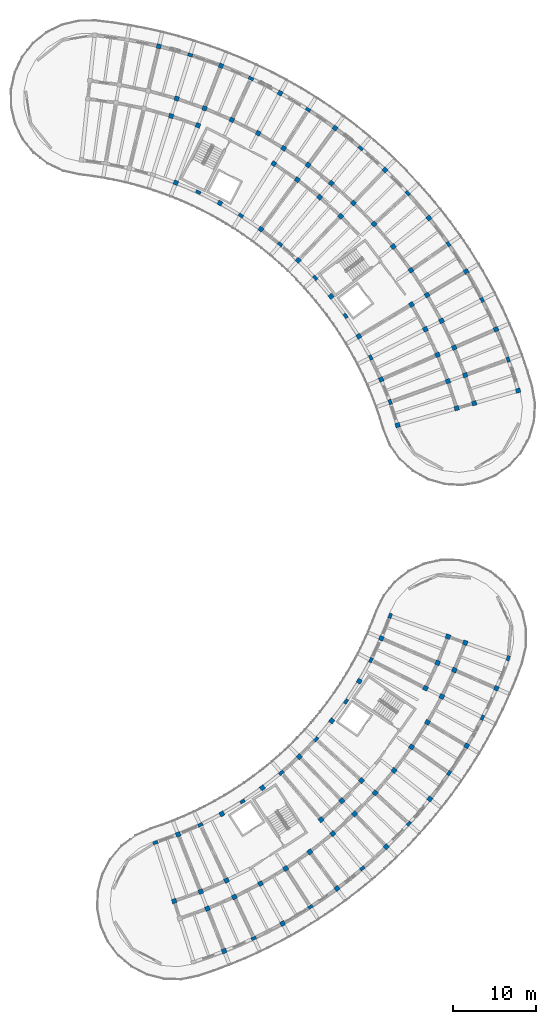
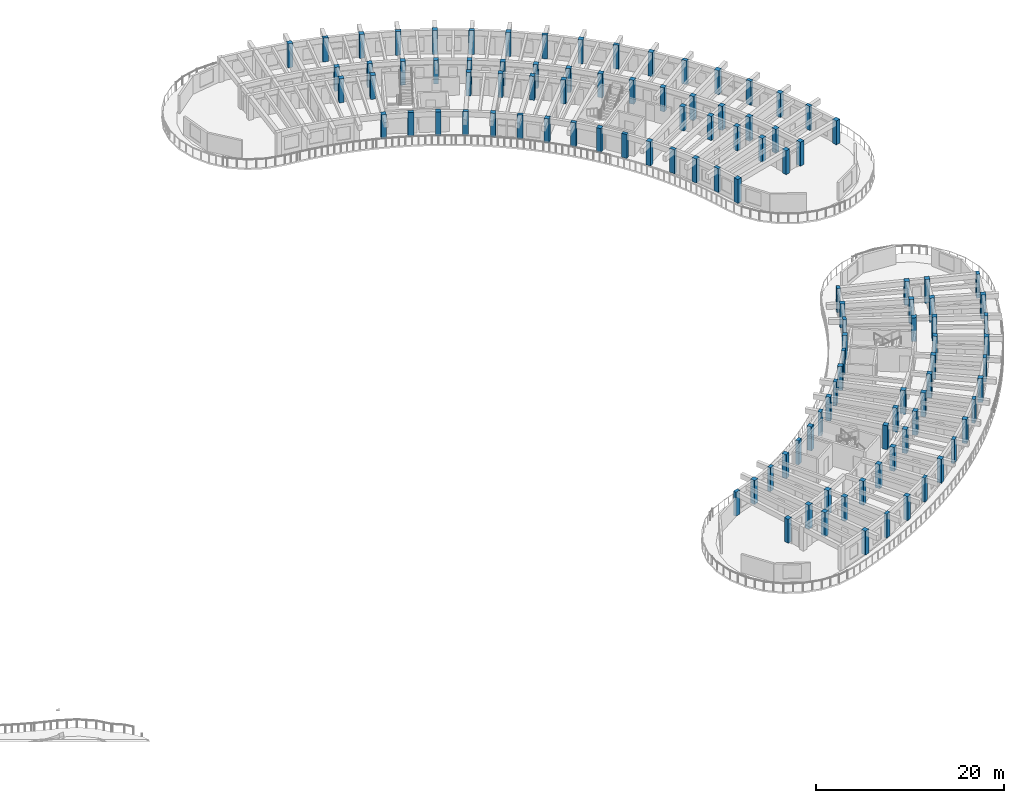
# One storey, part 2 of 78: 111 columns.
"""IFC4 building model written with IfcOpenShell, lengths in metres."""

from ifc_helpers import new_model, si_unit, direction, frame, origin, origin_2d, place, context, subcontext, project, spatial, rectangle, extrude, material, material_profile, profile_set, type_object, element, save


model = new_model("IFC4")

# Units and contexts
model_context = context("Model", 3, precision=1e-05, world=origin(), true_north=direction((0.0, 1.0)))
body_context = subcontext(model_context, "Body", "Model", "MODEL_VIEW")
ifc_project = project(units=[si_unit("LENGTHUNIT", "METRE"), si_unit("AREAUNIT", "SQUARE_METRE"), si_unit("VOLUMEUNIT", "CUBIC_METRE"), si_unit("PLANEANGLEUNIT", "RADIAN"), si_unit("MASSUNIT", "GRAM", prefix="KILO")], contexts=[model_context])

# Site, building, storey
site_placement = place(None, origin())
site = spatial("IfcSite", under=ifc_project, at=site_placement, CompositionType="ELEMENT")
building_placement = place(site_placement, origin())
building = spatial("IfcBuilding", under=site, at=building_placement, Name="Tanwirah Colonnade Gardens", CompositionType="ELEMENT")
storey_placement = place(building_placement, frame((0.0, 0.0, 22.280029296875)))
storey = spatial("IfcBuildingStorey", under=building, at=storey_placement, Name="L06", CompositionType="ELEMENT", Elevation=22.280029296875)

# Columns
ifc_material_1 = material(Name="Precast concrete C40/50", Category="concrete")
ifc_material_profile_1 = material_profile(ifc_material_1, rectangle(XDim=0.56005859375, YDim=0.56005859375, at=origin_2d()), Name="PC-COL 560x560")
ifc_profile_set_1 = profile_set([ifc_material_profile_1], Name="Precast concrete C40/50")
column_type_1 = type_object("IfcColumnType", Name="C-PC480", PredefinedType="COLUMN", material=ifc_profile_set_1)
for number, where, z_axis, x_axis, name in (
    (1, (136.80712890625, 15.1181640625, 0.0), (0.0, 0.0, 1.0), (0.304864299028, -0.952395799643, 0.0), "Block D L06 Column 1-R1"),
    (2, (137.291015625, 23.142822265625, 0.0), (0.0, 0.0, 1.0), (0.366501226724, -0.930417567982, 0.0), "Block D L06 Column 2-R0"),
    (3, (140.003173828125, 16.2578125, 0.0), (0.0, 0.0, 1.0), (0.366501226724, -0.930417567982, 0.0), "Block D L06 Column 2-R1"),
    (4, (140.809326171875, 14.2109375, 0.0), (0.0, 0.0, 1.0), (0.366501226724, -0.930417567982, 0.0), "Block D L06 Column 2-R2"),
    (5, (142.8251953125, 9.09375, 0.0), (0.0, 0.0, 1.0), (0.366501226724, -0.930417567982, 0.0), "Block D L06 Column 2-R3"),
    (6, (143.11767578125, 17.60400390625, 0.0), (0.0, 0.0, 1.0), (0.426568739901, -0.904455145454, 0.0), "Block D L06 Column 3-R1"),
    (7, (144.05615234375, 15.6142578125, 0.0), (0.0, 0.0, 1.0), (0.426568739901, -0.904455145454, 0.0), "Block D L06 Column 3-R2"),
    (8, (142.5498046875, 25.623046875, 0.0), (0.0, 0.0, 1.0), (0.484809620246, -0.874619707139, 0.0), "Block D L06 Column 4-R0"),
    (9, (147.203857421875, 17.226806640625, 0.0), (0.0, 0.0, 1.0), (0.484809620246, -0.874619707139, 0.0), "Block D L06 Column 4-R2"),
    (10, (149.870361328125, 12.41650390625, 0.0), (0.0, 0.0, 1.0), (0.484809620246, -0.874619707139, 0.0), "Block D L06 Column 4-R3"),
    (11, (150.23974609375, 19.041748046875, 0.0), (0.0, 0.0, 1.0), (0.540974471368, -0.841039012964, 0.0), "Block D L06 Column 5-R2"),
    (12, (147.43994140625, 28.7685546875, 0.0), (0.0, 0.0, 1.0), (0.594822786751, -0.803856860617, 0.0), "Block D L06 Column 6-R0"),
    (13, (153.150146484375, 21.051513671875, 0.0), (0.0, 0.0, 1.0), (0.594822786751, -0.803856860617, 0.0), "Block D L06 Column 6-R2"),
    (14, (156.421630859375, 16.63037109375, 0.0), (0.0, 0.0, 1.0), (0.594822786751, -0.803856860617, 0.0), "Block D L06 Column 6-R3"),
    (15, (154.50146484375, 24.926513671875, 0.0), (0.0, 0.0, 1.0), (0.646123979643, -0.763232469783, 0.0), "Block D L06 Column 7-R1"),
    (16, (155.923095703125, 23.247314453125, 0.0), (0.0, 0.0, 1.0), (0.646123979643, -0.763232469783, 0.0), "Block D L06 Column 7-R2"),
    (17, (151.877685546875, 32.525390625, 0.0), (0.0, 0.0, 1.0), (0.694658370459, -0.719339800339, 0.0), "Block D L06 Column 8-R0"),
    (18, (157.01806640625, 27.2021484375, 0.0), (0.0, 0.0, 1.0), (0.694658370459, -0.719339800339, 0.0), "Block D L06 Column 8-R1"),
    (19, (158.54638671875, 25.61962890625, 0.0), (0.0, 0.0, 1.0), (0.694658370459, -0.719339800339, 0.0), "Block D L06 Column 8-R2"),
    (20, (162.366943359375, 21.663330078125, 0.0), (0.0, 0.0, 1.0), (0.694658370459, -0.719339800339, 0.0), "Block D L06 Column 8-R3"),
    (21, (159.38037109375, 29.6376953125, 0.0), (0.0, 0.0, 1.0), (0.740218127487, -0.672366807435, 0.0), "Block D L06 Column 9-R1"),
    (22, (161.0087890625, 28.15869140625, 0.0), (0.0, 0.0, 1.0), (0.740218127487, -0.672366807435, 0.0), "Block D L06 Column 9-R2"),
    (23, (155.786865234375, 36.829345703125, 0.0), (0.0, 0.0, 1.0), (0.782608156852, -0.622514636638, 0.0), "Block D L06 Column 10-R0"),
    (24, (163.300048828125, 30.85302734375, 0.0), (0.0, 0.0, 1.0), (0.782608156852, -0.622514636638, 0.0), "Block D L06 Column 10-R2"),
    (25, (167.604248046875, 27.42919921875, 0.0), (0.0, 0.0, 1.0), (0.782608156852, -0.622514636638, 0.0), "Block D L06 Column 10-R3"),
    (26, (165.409912109375, 33.691650390625, 0.0), (0.0, 0.0, 1.0), (0.821646937942, -0.569996762596, 0.0), "Block D L06 Column 11-R2"),
    (27, (159.10107421875, 41.6064453125, 0.0), (0.0, 0.0, 1.0), (0.857167300702, -0.51503807491, 0.0), "Block D L06 Column 12-R0"),
    (28, (167.329833984375, 36.662109375, 0.0), (0.0, 0.0, 1.0), (0.857167300702, -0.51503807491, 0.0), "Block D L06 Column 12-R2"),
    (29, (172.04443359375, 33.82958984375, 0.0), (0.0, 0.0, 1.0), (0.857167300702, -0.51503807491, 0.0), "Block D L06 Column 12-R3"),
    (30, (167.095458984375, 40.75927734375, 0.0), (0.0, 0.0, 1.0), (0.889017141486, -0.457873915117, 0.0), "Block D L06 Column 13-R1"),
    (31, (169.05126953125, 39.751953125, 0.0), (0.0, 0.0, 1.0), (0.889017141486, -0.457873915117, 0.0), "Block D L06 Column 13-R2"),
    (32, (161.763427734375, 46.775634765625, 0.0), (0.0, 0.0, 1.0), (0.917060074385, -0.398749068925, 0.0), "Block D L06 Column 14-R0"),
    (33, (168.549560546875, 43.824951171875, 0.0), (0.0, 0.0, 1.0), (0.917060074385, -0.398749068925, 0.0), "Block D L06 Column 14-R1"),
    (34, (170.567138671875, 42.947509765625, 0.0), (0.0, 0.0, 1.0), (0.917060074385, -0.398749068925, 0.0), "Block D L06 Column 14-R2"),
    (35, (175.61083984375, 40.75439453125, 0.0), (0.0, 0.0, 1.0), (0.917060074385, -0.398749068925, 0.0), "Block D L06 Column 14-R3"),
    (36, (169.800048828125, 46.97900390625, 0.0), (0.0, 0.0, 1.0), (0.941176015256, -0.337916718003, 0.0), "Block D L06 Column 15-R1"),
    (37, (171.87060546875, 46.235595703125, 0.0), (0.0, 0.0, 1.0), (0.941176015256, -0.337916718003, 0.0), "Block D L06 Column 15-R2"),
):
    element("IfcColumn", number, at=place(storey_placement, frame(where, z_axis=z_axis, x_axis=x_axis)), inside=storey, type_object=column_type_1, Name=name, PredefinedType="COLUMN", context=body_context, shape_type="SweptSolid", body=[
        extrude(rectangle(XDim=0.56005859375, YDim=0.56005859375, at=origin_2d()), origin(), (0.0, 0.0, 1.0), 3.10986328125),
    ])
ifc_material_2 = material(Name="Precast concrete C45/55", Category="concrete")
ifc_material_profile_2 = material_profile(ifc_material_2, rectangle(XDim=0.550048828125, YDim=0.550048828125, at=origin_2d()), Name="PC-COL 550x550")
ifc_profile_set_2 = profile_set([ifc_material_profile_2], Name="Precast concrete C45/55")
column_type_2 = type_object("IfcColumnType", Name="C-PC550", PredefinedType="COLUMN", material=ifc_profile_set_2)
for number, where, z_axis, x_axis, name in (
    (38, (163.72802734375, 72.4521484375, 0.0), (0.0, 0.0, 1.0), (0.961261695938, 0.275637355817, 0.0), "Block B L06 Column 0-R0"),
    (39, (170.84130859375, 74.49169921875, 0.0), (0.0, 0.0, 1.0), (0.961261695938, 0.275637355817, 0.0), "Block B L06 Column 0-R1"),
    (40, (172.956298828125, 75.09814453125, 0.0), (0.0, 0.0, 1.0), (0.961261695938, 0.275637355817, 0.0), "Block B L06 Column 0-R2"),
    (41, (178.2431640625, 76.6142578125, 0.0), (0.0, 0.0, 1.0), (0.961261695938, 0.275637355817, 0.0), "Block B L06 Column 0-R3"),
    (42, (169.79150390625, 77.74462890625, 0.0), (0.0, 0.0, 1.0), (0.941012076693, 0.338372976931, 0.0), "Block B L06 Column 1-R1"),
    (43, (171.86181640625, 78.489013671875, 0.0), (0.0, 0.0, 1.0), (0.941012076693, 0.338372976931, 0.0), "Block B L06 Column 1-R2"),
    (44, (161.74609375, 77.9638671875, 0.0), (0.0, 0.0, 1.0), (0.916673002238, 0.39963809499, 0.0), "Block B L06 Column 2-R0"),
    (45, (168.529541015625, 80.921142578125, 0.0), (0.0, 0.0, 1.0), (0.916673002238, 0.39963809499, 0.0), "Block B L06 Column 2-R1"),
    (46, (170.546142578125, 81.800537109375, 0.0), (0.0, 0.0, 1.0), (0.916673002238, 0.39963809499, 0.0), "Block B L06 Column 2-R2"),
    (47, (175.587890625, 83.99853515625, 0.0), (0.0, 0.0, 1.0), (0.916673002238, 0.39963809499, 0.0), "Block B L06 Column 2-R3"),
    (48, (167.06103515625, 84.0078125, 0.0), (0.0, 0.0, 1.0), (0.88835024545, 0.459166463723, 0.0), "Block B L06 Column 3-R1"),
    (49, (169.015380859375, 85.01806640625, 0.0), (0.0, 0.0, 1.0), (0.88835024545, 0.459166463723, 0.0), "Block B L06 Column 3-R2"),
    (50, (159.056640625, 83.167236328125, 0.0), (0.0, 0.0, 1.0), (0.856166891514, 0.516699384434, 0.0), "Block B L06 Column 4-R0"),
    (51, (165.392333984375, 86.990966796875, 0.0), (0.0, 0.0, 1.0), (0.856166891514, 0.516699384434, 0.0), "Block B L06 Column 4-R1"),
    (52, (167.27587890625, 88.127685546875, 0.0), (0.0, 0.0, 1.0), (0.856166891514, 0.516699384434, 0.0), "Block B L06 Column 4-R2"),
    (53, (171.984619140625, 90.969482421875, 0.0), (0.0, 0.0, 1.0), (0.856166891514, 0.516699384434, 0.0), "Block B L06 Column 4-R3"),
    (54, (165.335205078125, 91.115966796875, 0.0), (0.0, 0.0, 1.0), (0.820262803018, 0.571986830255, 0.0), "Block B L06 Column 5-R2"),
    (55, (155.706298828125, 87.971923828125, 0.0), (0.0, 0.0, 1.0), (0.780794012137, 0.624788532714, 0.0), "Block B L06 Column 6-R0"),
    (56, (163.201904296875, 93.9697265625, 0.0), (0.0, 0.0, 1.0), (0.780794012137, 0.624788532714, 0.0), "Block B L06 Column 6-R2"),
    (57, (167.496337890625, 97.40625, 0.0), (0.0, 0.0, 1.0), (0.780794012137, 0.624788532714, 0.0), "Block B L06 Column 6-R3"),
    (58, (160.88525390625, 96.677001953125, 0.0), (0.0, 0.0, 1.0), (0.73793204255, 0.674875025896, 0.0), "Block B L06 Column 7-R2"),
    (59, (151.75341796875, 92.294189453125, 0.0), (0.0, 0.0, 1.0), (0.691863164029, 0.722028643656, 0.0), "Block B L06 Column 8-R0"),
    (60, (156.873046875, 97.63720703125, 0.0), (0.0, 0.0, 1.0), (0.691863164029, 0.722028643656, 0.0), "Block B L06 Column 8-R1"),
    (61, (158.395263671875, 99.2255859375, 0.0), (0.0, 0.0, 1.0), (0.691863164029, 0.722028643656, 0.0), "Block B L06 Column 8-R2"),
    (62, (162.200439453125, 103.19677734375, 0.0), (0.0, 0.0, 1.0), (0.691863164029, 0.722028643656, 0.0), "Block B L06 Column 8-R3"),
    (63, (154.32861328125, 99.91943359375, 0.0), (0.0, 0.0, 1.0), (0.642787582947, 0.766044465556, 0.0), "Block B L06 Column 9-R1"),
    (64, (155.74267578125, 101.604736328125, 0.0), (0.0, 0.0, 1.0), (0.642787582947, 0.766044465556, 0.0), "Block B L06 Column 9-R2"),
    (65, (147.266357421875, 96.05908203125, 0.0), (0.0, 0.0, 1.0), (0.590918572221, 0.806731207407, 0.0), "Block B L06 Column 10-R0"),
    (66, (151.63916015625, 102.029052734375, 0.0), (0.0, 0.0, 1.0), (0.590918572221, 0.806731207407, 0.0), "Block B L06 Column 10-R1"),
    (67, (152.939208984375, 103.8037109375, 0.0), (0.0, 0.0, 1.0), (0.590918572221, 0.806731207407, 0.0), "Block B L06 Column 10-R2"),
    (68, (156.189208984375, 108.24072265625, 0.0), (0.0, 0.0, 1.0), (0.590918572221, 0.806731207407, 0.0), "Block B L06 Column 10-R3"),
    (69, (148.816650390625, 103.956787109375, 0.0), (0.0, 0.0, 1.0), (0.536481544469, 0.843912052553, 0.0), "Block B L06 Column 11-R1"),
    (70, (149.996826171875, 105.8134765625, 0.0), (0.0, 0.0, 1.0), (0.536481544469, 0.843912052553, 0.0), "Block B L06 Column 11-R2"),
    (71, (142.3232421875, 99.20166015625, 0.0), (0.0, 0.0, 1.0), (0.479713072413, 0.877425420281, 0.0), "Block B L06 Column 12-R0"),
    (72, (146.928466796875, 107.624755859375, 0.0), (0.0, 0.0, 1.0), (0.479713072413, 0.877425420281, 0.0), "Block B L06 Column 12-R2"),
    (73, (149.56689453125, 112.45068359375, 0.0), (0.0, 0.0, 1.0), (0.479713072413, 0.877425420281, 0.0), "Block B L06 Column 12-R3"),
    (74, (143.74755859375, 109.230224609375, 0.0), (0.0, 0.0, 1.0), (0.420859860775, 0.907125668024, 0.0), "Block B L06 Column 13-R2"),
    (75, (137.010009765625, 101.666748046875, 0.0), (0.0, 0.0, 1.0), (0.36017767415, 0.932883724289, 0.0), "Block B L06 Column 14-R0"),
    (76, (139.67529296875, 108.570068359375, 0.0), (0.0, 0.0, 1.0), (0.36017767415, 0.932883724289, 0.0), "Block B L06 Column 14-R1"),
    (77, (140.467529296875, 110.622314453125, 0.0), (0.0, 0.0, 1.0), (0.36017767415, 0.932883724289, 0.0), "Block B L06 Column 14-R2"),
    (78, (142.448486328125, 115.753173828125, 0.0), (0.0, 0.0, 1.0), (0.36017767415, 0.932883724289, 0.0), "Block B L06 Column 14-R3"),
    (79, (136.44775390625, 109.6953125, 0.0), (0.0, 0.0, 1.0), (0.297930225503, 0.954587649581, 0.0), "Block B L06 Column 15-R1"),
    (80, (137.10302734375, 111.79541015625, 0.0), (0.0, 0.0, 1.0), (0.297930225503, 0.954587649581, 0.0), "Block B L06 Column 15-R2"),
    (81, (134.957763671875, 118.091064453125, 0.0), (0.0, 0.0, 1.0), (0.234388030122, 0.972143122866, 0.0), "Block B L06 Column 16-R3"),
):
    element("IfcColumn", number, at=place(storey_placement, frame(where, z_axis=z_axis, x_axis=x_axis)), inside=storey, type_object=column_type_2, Name=name, PredefinedType="COLUMN", context=body_context, shape_type="SweptSolid", body=[
        extrude(rectangle(XDim=0.550048828125, YDim=0.550048828125, at=origin_2d()), origin(), (0.0, 0.0, 1.0), 3.10986328125),
    ])
ifc_material_profile_3 = material_profile(ifc_material_1, rectangle(XDim=0.3798828125, YDim=0.6201171875, at=origin_2d()), Name="PC-PIL 380x620")
ifc_profile_set_3 = profile_set([ifc_material_profile_3], Name="Precast concrete C40/50")
column_type_3 = type_object("IfcColumnType", Name="PIL-380", PredefinedType="PILASTER", material=ifc_profile_set_3)
for number, where, z_axis, x_axis, name in (
    (82, (162.827880859375, 75.24072265625, 0.0), (0.0, 0.0, 1.0), (0.941012076693, 0.338372976931, 0.0), "Block B L06 Column 1-R0"),
    (83, (177.037353515625, 80.35009765625, 0.0), (0.0, 0.0, 1.0), (0.941012076693, 0.338372976931, 0.0), "Block B L06 Column 1-R3"),
    (84, (160.487060546875, 80.60986328125, 0.0), (0.0, 0.0, 1.0), (0.88835024545, 0.459166463723, 0.0), "Block B L06 Column 3-R0"),
    (85, (173.9013671875, 87.54345703125, 0.0), (0.0, 0.0, 1.0), (0.88835024545, 0.459166463723, 0.0), "Block B L06 Column 3-R3"),
    (86, (157.460693359375, 85.624755859375, 0.0), (0.0, 0.0, 1.0), (0.820262803018, 0.571986830255, 0.0), "Block B L06 Column 5-R0"),
    (87, (169.8466796875, 94.26171875, 0.0), (0.0, 0.0, 1.0), (0.820262803018, 0.571986830255, 0.0), "Block B L06 Column 5-R3"),
    (88, (153.801025390625, 90.1982421875, 0.0), (0.0, 0.0, 1.0), (0.73793204255, 0.674875025896, 0.0), "Block B L06 Column 7-R0"),
    (89, (164.94384765625, 100.388916015625, 0.0), (0.0, 0.0, 1.0), (0.73793204255, 0.674875025896, 0.0), "Block B L06 Column 7-R3"),
    (90, (149.572021484375, 94.250732421875, 0.0), (0.0, 0.0, 1.0), (0.642787582947, 0.766044465556, 0.0), "Block B L06 Column 9-R0"),
    (91, (159.278076171875, 105.81787109375, 0.0), (0.0, 0.0, 1.0), (0.642787582947, 0.766044465556, 0.0), "Block B L06 Column 9-R3"),
    (92, (144.8466796875, 97.7119140625, 0.0), (0.0, 0.0, 1.0), (0.536481544469, 0.843912052553, 0.0), "Block B L06 Column 11-R0"),
    (93, (152.947509765625, 110.455078125, 0.0), (0.0, 0.0, 1.0), (0.536481544469, 0.843912052553, 0.0), "Block B L06 Column 11-R3"),
    (94, (139.707275390625, 100.521728515625, 0.0), (0.0, 0.0, 1.0), (0.420859860775, 0.907125668024, 0.0), "Block B L06 Column 13-R0"),
    (95, (146.062255859375, 114.21923828125, 0.0), (0.0, 0.0, 1.0), (0.420859860775, 0.907125668024, 0.0), "Block B L06 Column 13-R3"),
    (96, (138.74169921875, 117.045654296875, 0.0), (0.0, 0.0, 1.0), (0.297930225503, 0.954587649581, 0.0), "Block B L06 Column 15-R3"),
    (97, (134.55126953125, 22.166015625, 0.0), (0.0, 0.0, 1.0), (0.304864299028, -0.952395799643, 0.0), "Block D L06 Column 1-R0"),
    (98, (139.9609375, 24.296875, 0.0), (0.0, 0.0, 1.0), (0.426568739901, -0.904455145454, 0.0), "Block D L06 Column 3-R0"),
    (99, (146.402099609375, 10.6396484375, 0.0), (0.0, 0.0, 1.0), (0.426568739901, -0.904455145454, 0.0), "Block D L06 Column 3-R3"),
    (100, (145.04638671875, 27.11572265625, 0.0), (0.0, 0.0, 1.0), (0.540974471368, -0.841039012964, 0.0), "Block D L06 Column 5-R0"),
    (101, (153.215087890625, 14.416015625, 0.0), (0.0, 0.0, 1.0), (0.540974471368, -0.841039012964, 0.0), "Block D L06 Column 5-R3"),
    (102, (149.72021484375, 30.57421875, 0.0), (0.0, 0.0, 1.0), (0.646123979643, -0.763232469783, 0.0), "Block D L06 Column 7-R0"),
    (103, (159.4765625, 19.049560546875, 0.0), (0.0, 0.0, 1.0), (0.646123979643, -0.763232469783, 0.0), "Block D L06 Column 7-R3"),
    (104, (153.902587890625, 34.61328125, 0.0), (0.0, 0.0, 1.0), (0.740218127487, -0.672366807435, 0.0), "Block D L06 Column 9-R0"),
    (105, (165.080078125, 24.46044921875, 0.0), (0.0, 0.0, 1.0), (0.740218127487, -0.672366807435, 0.0), "Block D L06 Column 9-R3"),
    (106, (157.522216796875, 39.16357421875, 0.0), (0.0, 0.0, 1.0), (0.821646937942, -0.569996762596, 0.0), "Block D L06 Column 11-R0"),
    (107, (169.928955078125, 30.556640625, 0.0), (0.0, 0.0, 1.0), (0.821646937942, -0.569996762596, 0.0), "Block D L06 Column 11-R3"),
    (108, (160.516845703125, 44.1474609375, 0.0), (0.0, 0.0, 1.0), (0.889017141486, -0.457873915117, 0.0), "Block D L06 Column 13-R0"),
    (109, (173.94091796875, 37.233642578125, 0.0), (0.0, 0.0, 1.0), (0.889017141486, -0.457873915117, 0.0), "Block D L06 Column 13-R3"),
    (110, (162.835205078125, 49.4794921875, 0.0), (0.0, 0.0, 1.0), (0.941176015256, -0.337916718003, 0.0), "Block D L06 Column 15-R0"),
    (111, (177.047119140625, 44.376953125, 0.0), (0.0, 0.0, 1.0), (0.941176015256, -0.337916718003, 0.0), "Block D L06 Column 15-R3"),
):
    element("IfcColumn", number, at=place(storey_placement, frame(where, z_axis=z_axis, x_axis=x_axis)), inside=storey, type_object=column_type_3, Name=name, PredefinedType="PILASTER", context=body_context, shape_type="SweptSolid", body=[
        extrude(rectangle(XDim=0.3798828125, YDim=0.6201171875, at=origin_2d()), origin(), (0.0, 0.0, 1.0), 3.10986328125),
    ])

save(model, "model.ifc")
